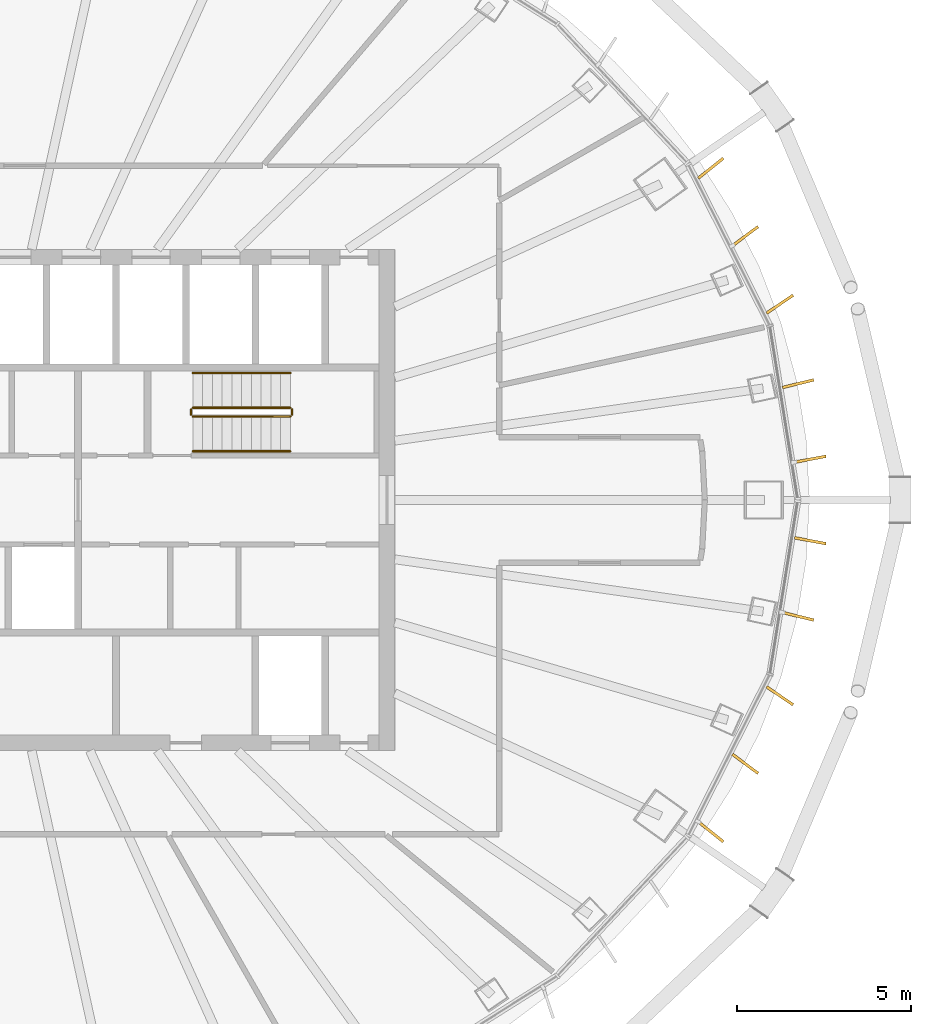
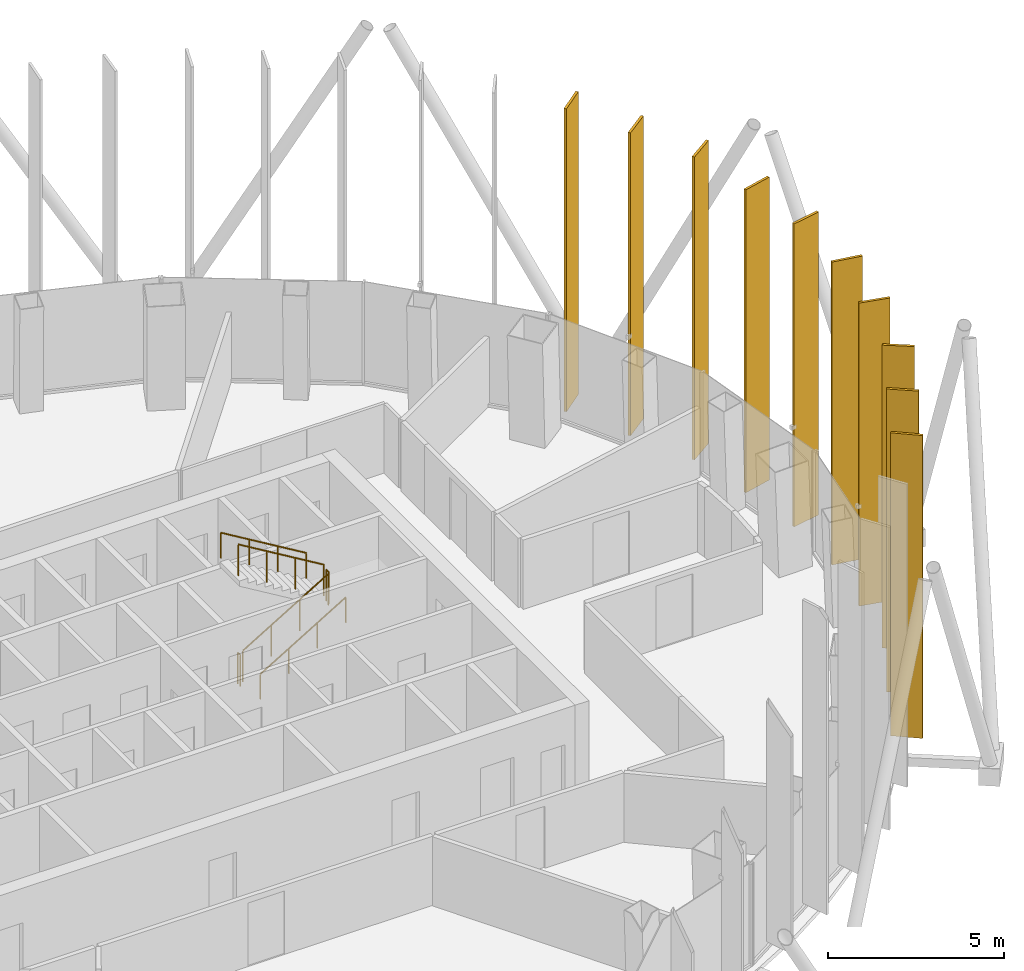
# One storey, part 18 of 19: 10 shading devices, 6 railings.
"""IFC4 building model written with IfcOpenShell, lengths in metres."""

from ifc_helpers import new_model, si_unit, direction, frame, origin, origin_2d, place, context, subcontext, project, spatial, rectangle, circle, extrude, material, layer, layer_set, type_object, element, save


model = new_model("IFC4")

# Units and contexts
model_context = context("Model", 3, precision=1e-05, world=origin(), true_north=direction((0.0, 1.0)))
body_context = subcontext(model_context, "Body", "Model", "MODEL_VIEW")
ifc_project = project(units=[si_unit("LENGTHUNIT", "METRE"), si_unit("AREAUNIT", "SQUARE_METRE"), si_unit("VOLUMEUNIT", "CUBIC_METRE"), si_unit("PLANEANGLEUNIT", "RADIAN"), si_unit("MASSUNIT", "GRAM", prefix="KILO")], contexts=[model_context])

# Site, building, storey
site_placement = place(None, origin())
site = spatial("IfcSite", under=ifc_project, at=site_placement, CompositionType="ELEMENT")
building_placement = place(site_placement, origin())
building = spatial("IfcBuilding", under=site, at=building_placement, Name="Siaravel Broadcast Tower", CompositionType="ELEMENT")
storey_placement = place(building_placement, frame((0.0, 0.0, 168.199951171875)))
storey = spatial("IfcBuildingStorey", under=building, at=storey_placement, Name="L40", CompositionType="ELEMENT", Elevation=168.199951171875)

# Shading devices
ifc_material_1 = material(Name="Bronze anodised aluminium", Category="aluminium")
ifc_layer = layer(ifc_material_1, 0.080078125)
ifc_layer_set = layer_set([ifc_layer], Name="Bronze anodised aluminium")
shading_device_type = type_object("IfcShadingDeviceType", Name="Bronze fin zone 3", PredefinedType="USERDEFINED", material=ifc_layer_set)
for number, where, z_axis, x_axis, name in (
    (1, (23.935302734375, 1.17041015625, 0.300048828125), (0.0, 0.0, 1.0), (0.982637416, 0.185536275, 0.0), "Bronze fin L40-01"),
    (2, (23.585205078125, 3.340087890625, 0.300048828125), (0.0, 0.0, 1.0), (0.971274412, 0.237962219, 0.0), "Bronze fin L40-02"),
    (3, (23.059814453125, 5.623291015625, 0.300048828125), (0.0, 0.0, 1.0), (0.826438448, 0.563027079, 0.0), "Bronze fin L40-03"),
    (4, (22.068115234375, 7.577880859375, 0.300048828125), (0.0, 0.0, 1.0), (0.802227057, 0.597019052, 0.0), "Bronze fin L40-04"),
    (5, (21.077880859375, 9.529296875, 0.300048828125), (0.0, 0.0, 1.0), (0.781708812, 0.623643594, 0.0), "Bronze fin L40-05"),
    (6, (21.077880859375, -9.529296875, 0.300048828125), (0.0, 0.0, 1.0), (0.781708812, -0.623643594, 0.0), "Bronze fin L40-58"),
    (7, (22.068115234375, -7.577880859375, 0.300048828125), (0.0, 0.0, 1.0), (0.802227057, -0.597019052, 0.0), "Bronze fin L40-59"),
    (8, (23.059814453125, -5.623291015625, 0.300048828125), (0.0, 0.0, 1.0), (0.826438448, -0.563027079, 0.0), "Bronze fin L40-60"),
    (9, (23.585205078125, -3.340087890625, 0.300048828125), (0.0, 0.0, 1.0), (0.971274412, -0.237962219, 0.0), "Bronze fin L40-61"),
    (10, (23.935302734375, -1.17041015625, 0.300048828125), (0.0, 0.0, 1.0), (0.982637416, -0.185536275, 0.0), "Bronze fin L40-62"),
):
    element("IfcShadingDevice", number, at=place(storey_placement, frame(where, z_axis=z_axis, x_axis=x_axis)), inside=storey, type_object=shading_device_type, Name=name, ObjectType="FIN", PredefinedType="USERDEFINED", context=body_context, shape_type="SweptSolid", body=[
        extrude(rectangle(XDim=0.919921875, YDim=0.080078125, at=origin_2d()), origin(), (0.0, 0.0, 1.0), 10.5),
    ])

# Railings
ifc_material_2 = material(Name="Stainless steel 316L", Category="steel")
railing_type_1 = type_object("IfcRailingType", Name="Stair guard 1100", PredefinedType="GUARDRAIL", material=ifc_material_2)
railing_1_placement = place(storey_placement, frame((6.199951171875, 2.39990234375, 0.168212890625)))
element("IfcRailing", 11, at=railing_1_placement, inside=storey, type_object=railing_type_1, Name="L40 ST-2 stair guard 1", PredefinedType="GUARDRAIL", context=body_context, shape_type="SweptSolid", body=[
    extrude(circle(Radius=0.02392578125, at=origin_2d()), frame((0.0, 0.0, 1.076171875), z_axis=(0.857242211, 0.0, 0.514913383), x_axis=(0.0, 1.0, 0.0)), (0.0, 0.0, 1.0), 3.266357421875),
    extrude(circle(Radius=0.02099609375, at=origin_2d()), origin(), (0.0, 0.0, 1.0), 1.052001953125),
    extrude(circle(Radius=0.02099609375, at=origin_2d()), frame((0.933349609375, 0.0, 0.560546875)), (0.0, 0.0, 1.0), 1.052001953125),
    extrude(circle(Radius=0.02099609375, at=origin_2d()), frame((1.86669921875, 0.0, 1.121337890625)), (0.0, 0.0, 1.0), 1.052001953125),
    extrude(circle(Radius=0.02099609375, at=origin_2d()), frame((2.800048828125, 0.0, 1.681884765625)), (0.0, 0.0, 1.0), 1.052001953125),
])
railing_2_placement = place(storey_placement, frame((9.050048828125, 2.449951171875, 1.85009765625)))
element("IfcRailing", 12, at=railing_2_placement, inside=storey, type_object=railing_type_1, Name="L40 ST-2 stair guard 2", PredefinedType="GUARDRAIL", context=body_context, shape_type="SweptSolid", body=[
    extrude(circle(Radius=0.02392578125, at=origin_2d()), frame((0.0, 0.0, 1.076171875), z_axis=(0.0, 1.0, 0.0), x_axis=(-1.0, 0.0, 0.0)), (0.0, 0.0, 1.0), 0.150146484375),
    extrude(circle(Radius=0.02099609375, at=origin_2d()), origin(), (0.0, 0.0, 1.0), 1.052001953125),
    extrude(circle(Radius=0.02099609375, at=origin_2d()), frame((0.0, 0.150146484375, 0.0)), (0.0, 0.0, 1.0), 1.052001953125),
])
railing_3_placement = place(storey_placement, frame((9.0, 2.64990234375, 2.018310546875)))
element("IfcRailing", 13, at=railing_3_placement, inside=storey, type_object=railing_type_1, Name="L40 ST-2 stair guard 3", PredefinedType="GUARDRAIL", context=body_context, shape_type="SweptSolid", body=[
    extrude(circle(Radius=0.02392578125, at=origin_2d()), frame((0.0, 0.0, 1.076171875), z_axis=(-0.857275203, 0.0, 0.514858453), x_axis=(0.0, -1.0, 0.0)), (0.0, 0.0, 1.0), 3.26611328125),
    extrude(circle(Radius=0.02099609375, at=origin_2d()), origin(), (0.0, 0.0, 1.0), 1.052001953125),
    extrude(circle(Radius=0.02099609375, at=origin_2d()), frame((-0.933349609375, 0.0, 0.560546875)), (0.0, 0.0, 1.0), 1.052001953125),
    extrude(circle(Radius=0.02099609375, at=origin_2d()), frame((-1.86669921875, 0.0, 1.12109375)), (0.0, 0.0, 1.0), 1.052001953125),
    extrude(circle(Radius=0.02099609375, at=origin_2d()), frame((-2.800048828125, 0.0, 1.681640625)), (0.0, 0.0, 1.0), 1.052001953125),
])
railing_4_placement = place(storey_placement, frame((6.14990234375, 2.449951171875, 0.0)))
element("IfcRailing", 14, at=railing_4_placement, inside=storey, type_object=railing_type_1, Name="L40 ST-2 stair guard 4", PredefinedType="GUARDRAIL", context=body_context, shape_type="SweptSolid", body=[
    extrude(circle(Radius=0.02392578125, at=origin_2d()), frame((0.0, 0.0, 1.076171875), z_axis=(0.0, 1.0, 0.0), x_axis=(-1.0, 0.0, 0.0)), (0.0, 0.0, 1.0), 0.150146484375),
    extrude(circle(Radius=0.02099609375, at=origin_2d()), origin(), (0.0, 0.0, 1.0), 1.052001953125),
    extrude(circle(Radius=0.02099609375, at=origin_2d()), frame((0.0, 0.150146484375, 0.0)), (0.0, 0.0, 1.0), 1.052001953125),
])
railing_type_2 = type_object("IfcRailingType", Name="Stair handrail 900", PredefinedType="HANDRAIL", material=ifc_material_2)
railing_5_placement = place(storey_placement, frame((6.199951171875, 1.39990234375, 0.168212890625)))
element("IfcRailing", 15, at=railing_5_placement, inside=storey, type_object=railing_type_2, Name="L40 ST-2 stair handrail 1", PredefinedType="HANDRAIL", context=body_context, shape_type="SweptSolid", body=[
    extrude(circle(Radius=0.02392578125, at=origin_2d()), frame((0.0, 0.0, 0.8759765625), z_axis=(0.857242211, 0.0, 0.514913383), x_axis=(0.0, 1.0, 0.0)), (0.0, 0.0, 1.0), 3.266357421875),
    extrude(circle(Radius=0.02099609375, at=origin_2d()), origin(), (0.0, 0.0, 1.0), 0.851806640625),
    extrude(circle(Radius=0.02099609375, at=origin_2d()), frame((0.933349609375, 0.0, 0.560546875)), (0.0, 0.0, 1.0), 0.851806640625),
    extrude(circle(Radius=0.02099609375, at=origin_2d()), frame((1.86669921875, 0.0, 1.121337890625)), (0.0, 0.0, 1.0), 0.851806640625),
    extrude(circle(Radius=0.02099609375, at=origin_2d()), frame((2.800048828125, 0.0, 1.681884765625)), (0.0, 0.0, 1.0), 0.851806640625),
])
railing_6_placement = place(storey_placement, frame((9.0, 3.64990234375, 2.018310546875)))
element("IfcRailing", 16, at=railing_6_placement, inside=storey, type_object=railing_type_2, Name="L40 ST-2 stair handrail 2", PredefinedType="HANDRAIL", context=body_context, shape_type="SweptSolid", body=[
    extrude(circle(Radius=0.02392578125, at=origin_2d()), frame((0.0, 0.0, 0.8759765625), z_axis=(-0.857275203, 0.0, 0.514858453), x_axis=(0.0, -1.0, 0.0)), (0.0, 0.0, 1.0), 3.26611328125),
    extrude(circle(Radius=0.02099609375, at=origin_2d()), origin(), (0.0, 0.0, 1.0), 0.851806640625),
    extrude(circle(Radius=0.02099609375, at=origin_2d()), frame((-0.933349609375, 0.0, 0.560546875)), (0.0, 0.0, 1.0), 0.851806640625),
    extrude(circle(Radius=0.02099609375, at=origin_2d()), frame((-1.86669921875, 0.0, 1.12109375)), (0.0, 0.0, 1.0), 0.851806640625),
    extrude(circle(Radius=0.02099609375, at=origin_2d()), frame((-2.800048828125, 0.0, 1.681640625)), (0.0, 0.0, 1.0), 0.851806640625),
])

save(model, "model.ifc")
